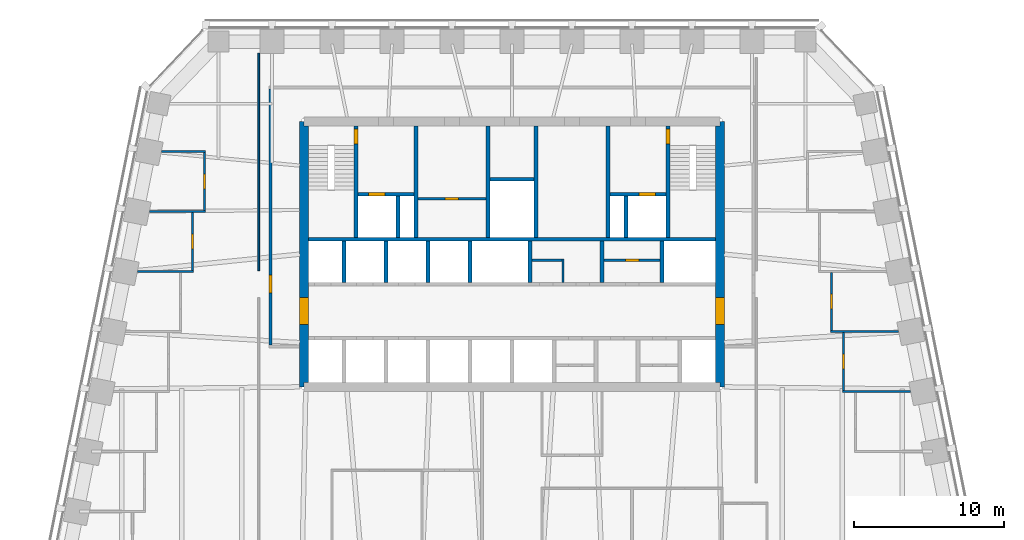
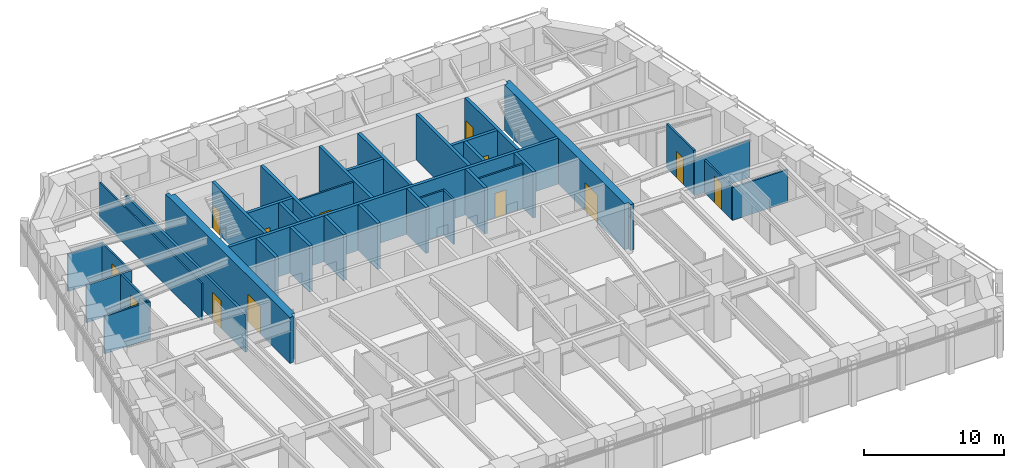
# One storey, part 7 of 10: 36 walls, 13 doors, 13 openings.
"""IFC4 building model written with IfcOpenShell, lengths in metres."""

from ifc_helpers import new_model, si_unit, direction, frame, frame_2d, origin, place, context, subcontext, project, spatial, polyline, rectangle, outline, extrude, material, layer, layer_set, type_object, element, fill, save


model = new_model("IFC4")

# Units and contexts
model_context = context("Model", 3, precision=1e-05, world=origin(), true_north=direction((0.0, 1.0)))
body_context = subcontext(model_context, "Body", "Model", "MODEL_VIEW")
ifc_project = project(units=[si_unit("LENGTHUNIT", "METRE"), si_unit("AREAUNIT", "SQUARE_METRE"), si_unit("VOLUMEUNIT", "CUBIC_METRE"), si_unit("PLANEANGLEUNIT", "RADIAN"), si_unit("MASSUNIT", "GRAM", prefix="KILO")], contexts=[model_context])

# Site, building, storey
site_placement = place(None, origin())
site = spatial("IfcSite", under=ifc_project, at=site_placement, CompositionType="ELEMENT")
building_placement = place(site_placement, origin())
building = spatial("IfcBuilding", under=site, at=building_placement, Name="Isbrekke Arena Tower", CompositionType="ELEMENT")
storey_placement = place(building_placement, frame((0.0, 0.0, 190.0)))
storey = spatial("IfcBuildingStorey", under=building, at=storey_placement, Name="L43", CompositionType="ELEMENT", Elevation=190.0)

# Wall, opening, door
ifc_material_1 = material(Name="Concrete B55 (C55/67)", Category="concrete")
ifc_layer_1 = layer(ifc_material_1, 0.60009765625)
ifc_layer_set_1 = layer_set([ifc_layer_1], Name="CW4 CORE WALL 600")
wall_type_1 = type_object("IfcWallType", Name="CW4 CORE WALL 600", PredefinedType="SHEAR", material=ifc_layer_set_1)
wall_1_placement = place(storey_placement, frame((13.85009765625, 6.14990234375, 0.0), z_axis=(0.0, 0.0, 1.0), x_axis=(0.0, 1.0, 0.0)))
wall_1 = element("IfcWall", 1, at=wall_1_placement, inside=storey, type_object=wall_type_1, Name="Core wall E L43", PredefinedType="SHEAR", context=body_context, shape_type="SweptSolid", body=[
    extrude(outline(polyline([(0.0, -0.300048828125), (17.7001953125, -0.300048828125), (17.7001953125, 0.0), (17.400146484375, 0.0), (17.400146484375, 0.300048828125), (0.300048828125, 0.300048828125), (0.300048828125, 0.0), (0.0, 0.0), (0.0, -0.300048828125)])), origin(), (0.0, 0.0, 1.0), 4.0),
])
opening_1_placement = place(wall_1_placement, frame((4.14990234375, 0.0, 0.0)))
opening_1 = element("IfcOpeningElement", 2, at=opening_1_placement, cuts=wall_1, Name="Opening D1", PredefinedType="OPENING", context=body_context, shape_type="SweptSolid", body=[
    extrude(rectangle(XDim=1.800048828125, YDim=2.39990234375, at=frame_2d((0.89990234375, 1.199951171875))), frame((0.0, 0.31494140625, 0.0), z_axis=(0.0, -1.0, 0.0), x_axis=(1.0, 0.0, 0.0)), (0.0, 0.0, 1.0), 0.6298828125),
])
ifc_material_2 = material(Name="Steel-framed glazed fire door", Category="steel")
door_type_1 = type_object("IfcDoorType", Name="D1 CORE LOBBY DOOR 1800 x 2400", OperationType="DOUBLE_DOOR_SINGLE_SWING", PredefinedType="DOOR", material=ifc_material_2)
door_1_placement = place(opening_1_placement, origin())
door_1 = element("IfcDoor", 3, at=door_1_placement, inside=storey, type_object=door_type_1, Name="D1 lift lobby door east L43", OperationType="DOUBLE_DOOR_SINGLE_SWING", OverallHeight=2.39990234375, OverallWidth=1.800048828125, PredefinedType="DOOR", context=body_context, shape_type="SweptSolid", body=[
    extrude(rectangle(XDim=1.800048828125, YDim=2.39990234375, at=frame_2d((0.89990234375, 1.199951171875))), frame((0.0, 0.2998046875, 0.0), z_axis=(0.0, -1.0, 0.0), x_axis=(1.0, 0.0, 0.0)), (0.0, 0.0, 1.0), 0.599609375),
])
fill(opening_1, door_1)

wall_2_placement = place(storey_placement, frame((-13.85009765625, 23.85009765625, 0.0), z_axis=(0.0, 0.0, 1.0), x_axis=(0.0, -1.0, 0.0)))
wall_2 = element("IfcWall", 4, at=wall_2_placement, inside=storey, type_object=wall_type_1, Name="Core wall W L43", PredefinedType="SHEAR", context=body_context, shape_type="SweptSolid", body=[
    extrude(outline(polyline([(0.0, -0.300048828125), (17.7001953125, -0.300048828125), (17.7001953125, 0.0), (17.400146484375, 0.0), (17.400146484375, 0.300048828125), (0.300048828125, 0.300048828125), (0.300048828125, 0.0), (0.0, 0.0), (0.0, -0.300048828125)])), origin(), (0.0, 0.0, 1.0), 4.0),
])
opening_2_placement = place(wall_2_placement, frame((11.75, 0.0, 0.0)))
opening_2 = element("IfcOpeningElement", 5, at=opening_2_placement, cuts=wall_2, Name="Opening D1", PredefinedType="OPENING", context=body_context, shape_type="SweptSolid", body=[
    extrude(rectangle(XDim=1.800048828125, YDim=2.39990234375, at=frame_2d((0.89990234375, 1.199951171875))), frame((0.0, 0.31494140625, 0.0), z_axis=(0.0, -1.0, 0.0), x_axis=(1.0, 0.0, 0.0)), (0.0, 0.0, 1.0), 0.6298828125),
])
door_2_placement = place(opening_2_placement, origin())
door_2 = element("IfcDoor", 6, at=door_2_placement, inside=storey, type_object=door_type_1, Name="D1 lift lobby door west L43", OperationType="DOUBLE_DOOR_SINGLE_SWING", OverallHeight=2.39990234375, OverallWidth=1.800048828125, PredefinedType="DOOR", context=body_context, shape_type="SweptSolid", body=[
    extrude(rectangle(XDim=1.800048828125, YDim=2.39990234375, at=frame_2d((0.89990234375, 1.199951171875))), frame((0.0, 0.2998046875, 0.0), z_axis=(0.0, -1.0, 0.0), x_axis=(1.0, 0.0, 0.0)), (0.0, 0.0, 1.0), 0.599609375),
])
fill(opening_2, door_2)

# Walls
ifc_material_3 = material(Name="Concrete B45 (C45/55)", Category="concrete")
ifc_layer_2 = layer(ifc_material_3, 0.25)
ifc_layer_set_2 = layer_set([ifc_layer_2], Name="CW6 SHAFT WALL 250")
wall_type_2 = type_object("IfcWallType", Name="CW6 SHAFT WALL 250", PredefinedType="SHEAR", material=ifc_layer_set_2)
wall_3_placement = place(storey_placement, frame((-13.550048828125, 16.0, 0.0), z_axis=(0.0, 0.0, 1.0), x_axis=(1.0, 0.0, 0.0)))
element("IfcWall", 7, at=wall_3_placement, inside=storey, type_object=wall_type_2, Name="Core wall NB L43", PredefinedType="SHEAR", context=body_context, shape_type="SweptSolid", body=[
    extrude(rectangle(XDim=27.10009765625, YDim=0.25, at=frame_2d((13.550048828125, 0.0))), origin(), (0.0, 0.0, 1.0), 4.0),
])
for number, where, z_axis, x_axis, name in (
    (8, (-11.199951171875, 13.125, 0.0), (0.0, 0.0, 1.0), (0.0, 1.0, 0.0), "Core wall SN01 L43"),
    (9, (-8.39990234375, 13.125, 0.0), (0.0, 0.0, 1.0), (0.0, 1.0, 0.0), "Core wall SN02 L43"),
    (10, (-5.60009765625, 13.125, 0.0), (0.0, 0.0, 1.0), (0.0, 1.0, 0.0), "Core wall SN03 L43"),
    (11, (-2.800048828125, 13.125, 0.0), (0.0, 0.0, 1.0), (0.0, 1.0, 0.0), "Core wall SN04 L43"),
    (12, (1.199951171875, 13.125, 0.0), (0.0, 0.0, 1.0), (0.0, 1.0, 0.0), "Core wall SN05 L43"),
    (13, (6.0, 13.125, 0.0), (0.0, 0.0, 1.0), (0.0, 1.0, 0.0), "Core wall SN06 L43"),
    (14, (10.0, 13.125, 0.0), (0.0, 0.0, 1.0), (0.0, 1.0, 0.0), "Core wall SN07 L43"),
):
    element("IfcWall", number, at=place(storey_placement, frame(where, z_axis=z_axis, x_axis=x_axis)), inside=storey, type_object=wall_type_2, Name=name, PredefinedType="SHEAR", context=body_context, shape_type="SweptSolid", body=[
        extrude(rectangle(XDim=2.75, YDim=0.25, at=frame_2d((1.375, 0.0))), origin(), (0.0, 0.0, 1.0), 4.0),
    ])

# Wall, opening, door
wall_4_placement = place(storey_placement, frame((-10.39990234375, 16.125, 0.0), z_axis=(0.0, 0.0, 1.0), x_axis=(0.0, 1.0, 0.0)))
wall_4 = element("IfcWall", 15, at=wall_4_placement, inside=storey, type_object=wall_type_2, Name="Core wall NV01 L43", PredefinedType="SHEAR", context=body_context, shape_type="SweptSolid", body=[
    extrude(rectangle(XDim=7.425048828125, YDim=0.25, at=frame_2d((3.71240234375, 0.0))), origin(), (0.0, 0.0, 1.0), 4.0),
])
opening_3_placement = place(wall_4_placement, frame((6.22509765625, 0.0, 0.0)))
opening_3 = element("IfcOpeningElement", 16, at=opening_3_placement, cuts=wall_4, Name="Opening D2", PredefinedType="OPENING", context=body_context, shape_type="SweptSolid", body=[
    extrude(rectangle(XDim=1.0, YDim=2.10009765625, at=frame_2d((0.5, 1.050048828125))), frame((0.0, 0.139892578125, 0.0), z_axis=(0.0, -1.0, 0.0), x_axis=(1.0, 0.0, 0.0)), (0.0, 0.0, 1.0), 0.27978515625),
])
ifc_material_4 = material(Name="Steel fire door", Category="steel")
door_type_2 = type_object("IfcDoorType", Name="D2 STAIR DOOR 1000 x 2100", OperationType="SINGLE_SWING_LEFT", PredefinedType="DOOR", material=ifc_material_4)
door_3_placement = place(opening_3_placement, origin())
door_3 = element("IfcDoor", 17, at=door_3_placement, inside=storey, type_object=door_type_2, Name="D2 stair door ST1 L43", OperationType="SINGLE_SWING_LEFT", OverallHeight=2.10009765625, OverallWidth=1.0, PredefinedType="DOOR", context=body_context, shape_type="SweptSolid", body=[
    extrude(rectangle(XDim=1.0, YDim=2.10009765625, at=frame_2d((0.5, 1.050048828125))), frame((0.0, 0.124755859375, 0.0), z_axis=(0.0, -1.0, 0.0), x_axis=(1.0, 0.0, 0.0)), (0.0, 0.0, 1.0), 0.24951171875),
])
fill(opening_3, door_3)

# Walls
for number, where, z_axis, x_axis, name in (
    (18, (-6.39990234375, 16.125, 0.0), (0.0, 0.0, 1.0), (0.0, 1.0, 0.0), "Core wall NV02 L43"),
    (19, (-1.60009765625, 16.125, 0.0), (0.0, 0.0, 1.0), (0.0, 1.0, 0.0), "Core wall NV03 L43"),
    (20, (1.60009765625, 16.125, 0.0), (0.0, 0.0, 1.0), (0.0, 1.0, 0.0), "Core wall NV04 L43"),
    (21, (6.39990234375, 16.125, 0.0), (0.0, 0.0, 1.0), (0.0, 1.0, 0.0), "Core wall NV05 L43"),
):
    element("IfcWall", number, at=place(storey_placement, frame(where, z_axis=z_axis, x_axis=x_axis)), inside=storey, type_object=wall_type_2, Name=name, PredefinedType="SHEAR", context=body_context, shape_type="SweptSolid", body=[
        extrude(rectangle(XDim=7.425048828125, YDim=0.25, at=frame_2d((3.71240234375, 0.0))), origin(), (0.0, 0.0, 1.0), 4.0),
    ])

# Wall, opening, door
wall_5_placement = place(storey_placement, frame((10.39990234375, 16.125, 0.0), z_axis=(0.0, 0.0, 1.0), x_axis=(0.0, 1.0, 0.0)))
wall_5 = element("IfcWall", 22, at=wall_5_placement, inside=storey, type_object=wall_type_2, Name="Core wall NV06 L43", PredefinedType="SHEAR", context=body_context, shape_type="SweptSolid", body=[
    extrude(rectangle(XDim=7.425048828125, YDim=0.25, at=frame_2d((3.71240234375, 0.0))), origin(), (0.0, 0.0, 1.0), 4.0),
])
opening_4_placement = place(wall_5_placement, frame((6.22509765625, 0.0, 0.0)))
opening_4 = element("IfcOpeningElement", 23, at=opening_4_placement, cuts=wall_5, Name="Opening D2", PredefinedType="OPENING", context=body_context, shape_type="SweptSolid", body=[
    extrude(rectangle(XDim=1.0, YDim=2.10009765625, at=frame_2d((0.5, 1.050048828125))), frame((0.0, 0.139892578125, 0.0), z_axis=(0.0, -1.0, 0.0), x_axis=(1.0, 0.0, 0.0)), (0.0, 0.0, 1.0), 0.27978515625),
])
door_4_placement = place(opening_4_placement, origin())
door_4 = element("IfcDoor", 24, at=door_4_placement, inside=storey, type_object=door_type_2, Name="D2 stair door ST2 L43", OperationType="SINGLE_SWING_LEFT", OverallHeight=2.10009765625, OverallWidth=1.0, PredefinedType="DOOR", context=body_context, shape_type="SweptSolid", body=[
    extrude(rectangle(XDim=1.0, YDim=2.10009765625, at=frame_2d((0.5, 1.050048828125))), frame((0.0, 0.124755859375, 0.0), z_axis=(0.0, -1.0, 0.0), x_axis=(1.0, 0.0, 0.0)), (0.0, 0.0, 1.0), 0.24951171875),
])
fill(opening_4, door_4)

wall_6_placement = place(storey_placement, frame((-10.27490234375, 19.0, 0.0), z_axis=(0.0, 0.0, 1.0), x_axis=(1.0, 0.0, 0.0)))
wall_6 = element("IfcWall", 25, at=wall_6_placement, inside=storey, type_object=wall_type_2, Name="Core wall NFW L43", PredefinedType="SHEAR", context=body_context, shape_type="SweptSolid", body=[
    extrude(rectangle(XDim=3.75, YDim=0.25, at=frame_2d((1.875, 0.0))), origin(), (0.0, 0.0, 1.0), 4.0),
])
opening_5_placement = place(wall_6_placement, frame((0.72509765625, 0.0, 0.0)))
opening_5 = element("IfcOpeningElement", 26, at=opening_5_placement, cuts=wall_6, Name="Opening LD2", PredefinedType="OPENING", context=body_context, shape_type="SweptSolid", body=[
    extrude(rectangle(XDim=1.10009765625, YDim=2.10009765625, at=frame_2d((0.550048828125, 1.050048828125))), frame((0.0, 0.139892578125, 0.0), z_axis=(0.0, -1.0, 0.0), x_axis=(1.0, 0.0, 0.0)), (0.0, 0.0, 1.0), 0.27978515625),
])
ifc_material_5 = material(Name="Stainless steel lift landing door", Category="steel")
door_type_3 = type_object("IfcDoorType", Name="LD2 FIRE-FIGHTING LIFT LANDING DOOR 1100 x 2100", OperationType="SLIDING_TO_RIGHT", PredefinedType="DOOR", material=ifc_material_5)
door_5_placement = place(opening_5_placement, origin())
door_5 = element("IfcDoor", 27, at=door_5_placement, inside=storey, type_object=door_type_3, Name="LD2 lift landing door LF L43", OperationType="SLIDING_TO_RIGHT", OverallHeight=2.10009765625, OverallWidth=1.10009765625, PredefinedType="DOOR", context=body_context, shape_type="SweptSolid", body=[
    extrude(rectangle(XDim=1.10009765625, YDim=2.10009765625, at=frame_2d((0.550048828125, 1.050048828125))), frame((0.0, 0.124755859375, 0.0), z_axis=(0.0, -1.0, 0.0), x_axis=(1.0, 0.0, 0.0)), (0.0, 0.0, 1.0), 0.24951171875),
])
fill(opening_5, door_5)

wall_7_placement = place(storey_placement, frame((6.52490234375, 19.0, 0.0), z_axis=(0.0, 0.0, 1.0), x_axis=(1.0, 0.0, 0.0)))
wall_7 = element("IfcWall", 28, at=wall_7_placement, inside=storey, type_object=wall_type_2, Name="Core wall NFE L43", PredefinedType="SHEAR", context=body_context, shape_type="SweptSolid", body=[
    extrude(rectangle(XDim=3.75, YDim=0.25, at=frame_2d((1.875, 0.0))), origin(), (0.0, 0.0, 1.0), 4.0),
])
opening_6_placement = place(wall_7_placement, frame((1.925048828125, 0.0, 0.0)))
opening_6 = element("IfcOpeningElement", 29, at=opening_6_placement, cuts=wall_7, Name="Opening LD2", PredefinedType="OPENING", context=body_context, shape_type="SweptSolid", body=[
    extrude(rectangle(XDim=1.10009765625, YDim=2.10009765625, at=frame_2d((0.550048828125, 1.050048828125))), frame((0.0, 0.139892578125, 0.0), z_axis=(0.0, -1.0, 0.0), x_axis=(1.0, 0.0, 0.0)), (0.0, 0.0, 1.0), 0.27978515625),
])
door_6_placement = place(opening_6_placement, origin())
door_6 = element("IfcDoor", 30, at=door_6_placement, inside=storey, type_object=door_type_3, Name="LD2 lift landing door LF L43", OperationType="SLIDING_TO_RIGHT", OverallHeight=2.10009765625, OverallWidth=1.10009765625, PredefinedType="DOOR", context=body_context, shape_type="SweptSolid", body=[
    extrude(rectangle(XDim=1.10009765625, YDim=2.10009765625, at=frame_2d((0.550048828125, 1.050048828125))), frame((0.0, 0.124755859375, 0.0), z_axis=(0.0, -1.0, 0.0), x_axis=(1.0, 0.0, 0.0)), (0.0, 0.0, 1.0), 0.24951171875),
])
fill(opening_6, door_6)

# Walls
for number, where, z_axis, x_axis, name in (
    (31, (-7.60009765625, 16.125, 0.0), (0.0, 0.0, 1.0), (0.0, 1.0, 0.0), "Core wall NFS1 L43"),
    (32, (7.60009765625, 16.125, 0.0), (0.0, 0.0, 1.0), (0.0, 1.0, 0.0), "Core wall NFS2 L43"),
):
    element("IfcWall", number, at=place(storey_placement, frame(where, z_axis=z_axis, x_axis=x_axis)), inside=storey, type_object=wall_type_2, Name=name, PredefinedType="SHEAR", context=body_context, shape_type="SweptSolid", body=[
        extrude(rectangle(XDim=2.75, YDim=0.25, at=frame_2d((1.375, 0.0))), origin(), (0.0, 0.0, 1.0), 4.0),
    ])
wall_8_placement = place(storey_placement, frame((-1.47509765625, 20.0, 0.0), z_axis=(0.0, 0.0, 1.0), x_axis=(1.0, 0.0, 0.0)))
element("IfcWall", 33, at=wall_8_placement, inside=storey, type_object=wall_type_2, Name="Core wall NWC L43", PredefinedType="SHEAR", context=body_context, shape_type="SweptSolid", body=[
    extrude(rectangle(XDim=2.9501953125, YDim=0.25, at=frame_2d((1.47509765625, 0.0))), origin(), (0.0, 0.0, 1.0), 4.0),
])
ifc_material_6 = material(Name="Gypsum board partition on steel studs", Category="steel")
ifc_layer_3 = layer(ifc_material_6, 0.14990234375)
ifc_layer_set_3 = layer_set([ifc_layer_3], Name="IW1 PARTITION 150")
wall_type_3 = type_object("IfcWallType", Name="IW1 PARTITION 150", PredefinedType="PARTITIONING", material=ifc_layer_set_3)
wall_9_placement = place(storey_placement, frame((22.02490234375, 5.840087890625, 0.0), z_axis=(0.0, 0.0, 1.0), x_axis=(1.0, 0.0, 0.0)))
element("IfcWall", 34, at=wall_9_placement, inside=storey, type_object=wall_type_3, Name="IW1 partition 150 L43", PredefinedType="PARTITIONING", context=body_context, shape_type="SweptSolid", body=[
    extrude(rectangle(XDim=4.5498046875, YDim=0.14990234375, at=frame_2d((2.27490234375, 0.0))), origin(), (0.0, 0.0, 1.0), 2.842041015625),
])
wall_10_placement = place(storey_placement, frame((21.22509765625, 9.840087890625, 0.0), z_axis=(0.0, 0.0, 1.0), x_axis=(1.0, 0.0, 0.0)))
element("IfcWall", 35, at=wall_10_placement, inside=storey, type_object=wall_type_3, Name="IW1 partition 150 L43", PredefinedType="PARTITIONING", context=body_context, shape_type="SweptSolid", body=[
    extrude(rectangle(XDim=4.5498046875, YDim=0.14990234375, at=frame_2d((2.27490234375, 0.0))), origin(), (0.0, 0.0, 1.0), 3.25),
])
for number, where, z_axis, x_axis, name in (
    (36, (-24.974853515625, 13.840087890625, 0.0), (0.0, 0.0, 1.0), (1.0, 0.0, 0.0), "IW1 partition 150 L43"),
    (37, (-24.1748046875, 17.840087890625, 0.0), (0.0, 0.0, 1.0), (1.0, 0.0, 0.0), "IW1 partition 150 L43"),
):
    element("IfcWall", number, at=place(storey_placement, frame(where, z_axis=z_axis, x_axis=x_axis)), inside=storey, type_object=wall_type_3, Name=name, PredefinedType="PARTITIONING", context=body_context, shape_type="SweptSolid", body=[
        extrude(rectangle(XDim=3.749755859375, YDim=0.14990234375, at=frame_2d((1.875, 0.0))), origin(), (0.0, 0.0, 1.0), 3.25),
    ])
wall_11_placement = place(storey_placement, frame((-23.374755859375, 21.840087890625, 0.0), z_axis=(0.0, 0.0, 1.0), x_axis=(1.0, 0.0, 0.0)))
element("IfcWall", 38, at=wall_11_placement, inside=storey, type_object=wall_type_3, Name="IW1 partition 150 L43", PredefinedType="PARTITIONING", context=body_context, shape_type="SweptSolid", body=[
    extrude(rectangle(XDim=2.94970703125, YDim=0.14990234375, at=frame_2d((1.474853515625, 0.0))), origin(), (0.0, 0.0, 1.0), 3.25),
])

# Wall, opening, door
wall_12_placement = place(storey_placement, frame((-21.300048828125, 13.9150390625, 0.0), z_axis=(0.0, 0.0, 1.0), x_axis=(0.0, 1.0, 0.0)))
wall_12 = element("IfcWall", 39, at=wall_12_placement, inside=storey, type_object=wall_type_3, Name="IW1 partition 150 L43", PredefinedType="PARTITIONING", context=body_context, shape_type="SweptSolid", body=[
    extrude(rectangle(XDim=3.849853515625, YDim=0.14990234375, at=frame_2d((1.9248046875, 0.0))), origin(), (0.0, 0.0, 1.0), 3.25),
])
opening_7_placement = place(wall_12_placement, frame((1.425048828125, 0.0, 0.0)))
opening_7 = element("IfcOpeningElement", 40, at=opening_7_placement, cuts=wall_12, Name="Opening D10", PredefinedType="OPENING", context=body_context, shape_type="SweptSolid", body=[
    extrude(rectangle(XDim=1.0, YDim=2.300048828125, at=frame_2d((0.5, 1.14990234375))), frame((0.0, 0.08984375, 0.0), z_axis=(0.0, -1.0, 0.0), x_axis=(1.0, 0.0, 0.0)), (0.0, 0.0, 1.0), 0.1796875),
])
ifc_material_7 = material(Name="Timber door", Category="wood")
door_type_4 = type_object("IfcDoorType", Name="D10 OFFICE DOOR 1000 x 2300", OperationType="SINGLE_SWING_LEFT", PredefinedType="DOOR", material=ifc_material_7)
door_7_placement = place(opening_7_placement, origin())
door_7 = element("IfcDoor", 41, at=door_7_placement, inside=storey, type_object=door_type_4, Name="D10 office door L43", OperationType="SINGLE_SWING_LEFT", OverallHeight=2.300048828125, OverallWidth=1.0, PredefinedType="DOOR", context=body_context, shape_type="SweptSolid", body=[
    extrude(rectangle(XDim=1.0, YDim=2.300048828125, at=frame_2d((0.5, 1.14990234375))), frame((0.0, 0.07470703125, 0.0), z_axis=(0.0, -1.0, 0.0), x_axis=(1.0, 0.0, 0.0)), (0.0, 0.0, 1.0), 0.1494140625),
])
fill(opening_7, door_7)

wall_13_placement = place(storey_placement, frame((-20.5, 17.9150390625, 0.0), z_axis=(0.0, 0.0, 1.0), x_axis=(0.0, 1.0, 0.0)))
wall_13 = element("IfcWall", 42, at=wall_13_placement, inside=storey, type_object=wall_type_3, Name="IW1 partition 150 L43", PredefinedType="PARTITIONING", context=body_context, shape_type="SweptSolid", body=[
    extrude(rectangle(XDim=3.849853515625, YDim=0.14990234375, at=frame_2d((1.9248046875, 0.0))), origin(), (0.0, 0.0, 1.0), 3.25),
])
opening_8_placement = place(wall_13_placement, frame((1.425048828125, 0.0, 0.0)))
opening_8 = element("IfcOpeningElement", 43, at=opening_8_placement, cuts=wall_13, Name="Opening D10", PredefinedType="OPENING", context=body_context, shape_type="SweptSolid", body=[
    extrude(rectangle(XDim=1.0, YDim=2.300048828125, at=frame_2d((0.5, 1.14990234375))), frame((0.0, 0.08984375, 0.0), z_axis=(0.0, -1.0, 0.0), x_axis=(1.0, 0.0, 0.0)), (0.0, 0.0, 1.0), 0.1796875),
])
door_8_placement = place(opening_8_placement, origin())
door_8 = element("IfcDoor", 44, at=door_8_placement, inside=storey, type_object=door_type_4, Name="D10 office door L43", OperationType="SINGLE_SWING_LEFT", OverallHeight=2.300048828125, OverallWidth=1.0, PredefinedType="DOOR", context=body_context, shape_type="SweptSolid", body=[
    extrude(rectangle(XDim=1.0, YDim=2.300048828125, at=frame_2d((0.5, 1.14990234375))), frame((0.0, 0.07470703125, 0.0), z_axis=(0.0, -1.0, 0.0), x_axis=(1.0, 0.0, 0.0)), (0.0, 0.0, 1.0), 0.1494140625),
])
fill(opening_8, door_8)

wall_14_placement = place(storey_placement, frame((21.300048828125, 9.9150390625, 0.0), z_axis=(0.0, 0.0, 1.0), x_axis=(0.0, 1.0, 0.0)))
wall_14 = element("IfcWall", 45, at=wall_14_placement, inside=storey, type_object=wall_type_3, Name="IW1 partition 150 L43", PredefinedType="PARTITIONING", context=body_context, shape_type="SweptSolid", body=[
    extrude(rectangle(XDim=3.849853515625, YDim=0.14990234375, at=frame_2d((1.9248046875, 0.0))), origin(), (0.0, 0.0, 1.0), 3.85009765625),
])
opening_9_placement = place(wall_14_placement, frame((1.425048828125, 0.0, 0.0)))
opening_9 = element("IfcOpeningElement", 46, at=opening_9_placement, cuts=wall_14, Name="Opening D10", PredefinedType="OPENING", context=body_context, shape_type="SweptSolid", body=[
    extrude(rectangle(XDim=1.0, YDim=2.300048828125, at=frame_2d((0.5, 1.14990234375))), frame((0.0, 0.08984375, 0.0), z_axis=(0.0, -1.0, 0.0), x_axis=(1.0, 0.0, 0.0)), (0.0, 0.0, 1.0), 0.1796875),
])
door_9_placement = place(opening_9_placement, origin())
door_9 = element("IfcDoor", 47, at=door_9_placement, inside=storey, type_object=door_type_4, Name="D10 office door L43", OperationType="SINGLE_SWING_LEFT", OverallHeight=2.300048828125, OverallWidth=1.0, PredefinedType="DOOR", context=body_context, shape_type="SweptSolid", body=[
    extrude(rectangle(XDim=1.0, YDim=2.300048828125, at=frame_2d((0.5, 1.14990234375))), frame((0.0, 0.07470703125, 0.0), z_axis=(0.0, -1.0, 0.0), x_axis=(1.0, 0.0, 0.0)), (0.0, 0.0, 1.0), 0.1494140625),
])
fill(opening_9, door_9)

wall_15_placement = place(storey_placement, frame((22.10009765625, 5.9150390625, 0.0), z_axis=(0.0, 0.0, 1.0), x_axis=(0.0, 1.0, 0.0)))
wall_15 = element("IfcWall", 48, at=wall_15_placement, inside=storey, type_object=wall_type_3, Name="IW1 partition 150 L43", PredefinedType="PARTITIONING", context=body_context, shape_type="SweptSolid", body=[
    extrude(rectangle(XDim=3.849853515625, YDim=0.14990234375, at=frame_2d((1.9248046875, 0.0))), origin(), (0.0, 0.0, 1.0), 2.842041015625),
])
opening_10_placement = place(wall_15_placement, frame((1.425048828125, 0.0, 0.0)))
opening_10 = element("IfcOpeningElement", 49, at=opening_10_placement, cuts=wall_15, Name="Opening D10", PredefinedType="OPENING", context=body_context, shape_type="SweptSolid", body=[
    extrude(rectangle(XDim=1.0, YDim=2.300048828125, at=frame_2d((0.5, 1.14990234375))), frame((0.0, 0.08984375, 0.0), z_axis=(0.0, -1.0, 0.0), x_axis=(1.0, 0.0, 0.0)), (0.0, 0.0, 1.0), 0.1796875),
])
door_10_placement = place(opening_10_placement, origin())
door_10 = element("IfcDoor", 50, at=door_10_placement, inside=storey, type_object=door_type_4, Name="D10 office door L43", OperationType="SINGLE_SWING_LEFT", OverallHeight=2.300048828125, OverallWidth=1.0, PredefinedType="DOOR", context=body_context, shape_type="SweptSolid", body=[
    extrude(rectangle(XDim=1.0, YDim=2.300048828125, at=frame_2d((0.5, 1.14990234375))), frame((0.0, 0.07470703125, 0.0), z_axis=(0.0, -1.0, 0.0), x_axis=(1.0, 0.0, 0.0)), (0.0, 0.0, 1.0), 0.1494140625),
])
fill(opening_10, door_10)

# Wall
ifc_material_8 = material(Name="Frameless glazed partition, laminated acoustic glass", Category="glass")
ifc_layer_4 = layer(ifc_material_8, 0.1201171875)
ifc_layer_set_4 = layer_set([ifc_layer_4], Name="IW2 GLAZED PARTITION 120")
wall_type_4 = type_object("IfcWallType", Name="IW2 GLAZED PARTITION 120", PredefinedType="PARTITIONING", material=ifc_layer_set_4)
wall_16_placement = place(storey_placement, frame((-16.888916015625, 13.89990234375, 0.0), z_axis=(0.0, 0.0, 1.0), x_axis=(0.0, 1.0, 0.0)))
element("IfcWall", 51, at=wall_16_placement, inside=storey, type_object=wall_type_4, Name="IW2 glazed partition 120 L43", PredefinedType="PARTITIONING", context=body_context, shape_type="SweptSolid", body=[
    extrude(rectangle(XDim=14.5, YDim=0.1201171875, at=frame_2d((7.25, 0.0))), origin(), (0.0, 0.0, 1.0), 3.25),
])

# Wall, opening, door
ifc_material_9 = material(Name="Gypsum board fire-cell wall on steel studs, two layers each side", Category="steel")
ifc_layer_5 = layer(ifc_material_9, 0.199951171875)
ifc_layer_set_5 = layer_set([ifc_layer_5], Name="IW3 FIRE-CELL WALL 200")
wall_type_5 = type_object("IfcWallType", Name="IW3 FIRE-CELL WALL 200", PredefinedType="PARTITIONING", material=ifc_layer_set_5)
wall_17_placement = place(storey_placement, frame((-16.10009765625, 8.949951171875, 0.0), z_axis=(0.0, 0.0, 1.0), x_axis=(0.0, 1.0, 0.0)))
wall_17 = element("IfcWall", 52, at=wall_17_placement, inside=storey, type_object=wall_type_5, Name="IW3 fire-cell wall 200 L43", PredefinedType="PARTITIONING", context=body_context, shape_type="SweptSolid", body=[
    extrude(rectangle(XDim=17.050048828125, YDim=0.199951171875, at=frame_2d((8.52490234375, 0.0))), origin(), (0.0, 0.0, 1.0), 3.25),
])
opening_11_placement = place(wall_17_placement, frame((3.449951171875, 0.0, 0.0)))
opening_11 = element("IfcOpeningElement", 53, at=opening_11_placement, cuts=wall_17, Name="Opening D12", PredefinedType="OPENING", context=body_context, shape_type="SweptSolid", body=[
    extrude(rectangle(XDim=1.199951171875, YDim=2.39990234375, at=frame_2d((0.60009765625, 1.199951171875))), frame((0.0, 0.11474609375, 0.0), z_axis=(0.0, -1.0, 0.0), x_axis=(1.0, 0.0, 0.0)), (0.0, 0.0, 1.0), 0.229736328125),
])
ifc_material_10 = material(Name="Timber fire door with vision panel", Category="wood")
door_type_5 = type_object("IfcDoorType", Name="D12 SUITE ENTRANCE DOOR 1200 x 2400", OperationType="SINGLE_SWING_LEFT", PredefinedType="DOOR", material=ifc_material_10)
door_11_placement = place(opening_11_placement, origin())
door_11 = element("IfcDoor", 54, at=door_11_placement, inside=storey, type_object=door_type_5, Name="D12 suite entrance W door L43", OperationType="SINGLE_SWING_LEFT", OverallHeight=2.39990234375, OverallWidth=1.199951171875, PredefinedType="DOOR", context=body_context, shape_type="SweptSolid", body=[
    extrude(rectangle(XDim=1.199951171875, YDim=2.39990234375, at=frame_2d((0.60009765625, 1.199951171875))), frame((0.0, 0.099609375, 0.0), z_axis=(0.0, -1.0, 0.0), x_axis=(1.0, 0.0, 0.0)), (0.0, 0.0, 1.0), 0.199462890625),
])
fill(opening_11, door_11)

ifc_material_11 = material(Name="Gypsum board fire-rated partition on steel studs, two layers each side", Category="steel")
ifc_layer_6 = layer(ifc_material_11, 0.14990234375)
ifc_layer_set_6 = layer_set([ifc_layer_6], Name="IW5 FIRE-RATED PARTITION 150")
wall_type_6 = type_object("IfcWallType", Name="IW5 FIRE-RATED PARTITION 150", PredefinedType="PARTITIONING", material=ifc_layer_set_6)
wall_18_placement = place(storey_placement, frame((-6.27490234375, 18.699951171875, 0.0), z_axis=(0.0, 0.0, 1.0), x_axis=(1.0, 0.0, 0.0)))
wall_18 = element("IfcWall", 55, at=wall_18_placement, inside=storey, type_object=wall_type_6, Name="IW5 fire-rated partition L43 cleaner's store F", PredefinedType="PARTITIONING", context=body_context, shape_type="SweptSolid", body=[
    extrude(rectangle(XDim=4.5498046875, YDim=0.14990234375, at=frame_2d((2.27490234375, 0.0))), origin(), (0.0, 0.0, 1.0), 3.85009765625),
])
opening_12_placement = place(wall_18_placement, frame((1.824951171875, 0.0, 0.0)))
opening_12 = element("IfcOpeningElement", 56, at=opening_12_placement, cuts=wall_18, Name="Opening D5", PredefinedType="OPENING", context=body_context, shape_type="SweptSolid", body=[
    extrude(rectangle(XDim=0.89990234375, YDim=2.10009765625, at=frame_2d((0.449951171875, 1.050048828125))), frame((0.0, 0.08984375, 0.0), z_axis=(0.0, -1.0, 0.0), x_axis=(1.0, 0.0, 0.0)), (0.0, 0.0, 1.0), 0.1796875),
])
ifc_material_12 = material(Name="Steel fire door", Category="steel")
door_type_6 = type_object("IfcDoorType", Name="D5 SERVICE DOOR 900 x 2100", OperationType="SINGLE_SWING_LEFT", PredefinedType="DOOR", material=ifc_material_12)
door_12_placement = place(opening_12_placement, origin())
door_12 = element("IfcDoor", 57, at=door_12_placement, inside=storey, type_object=door_type_6, Name="D5 cleaner's store door L43", OperationType="SINGLE_SWING_LEFT", OverallHeight=2.10009765625, OverallWidth=0.89990234375, PredefinedType="DOOR", context=body_context, shape_type="SweptSolid", body=[
    extrude(rectangle(XDim=0.89990234375, YDim=2.10009765625, at=frame_2d((0.449951171875, 1.050048828125))), frame((0.0, 0.07470703125, 0.0), z_axis=(0.0, -1.0, 0.0), x_axis=(1.0, 0.0, 0.0)), (0.0, 0.0, 1.0), 0.1494140625),
])
fill(opening_12, door_12)

# Walls
wall_19_placement = place(storey_placement, frame((3.39990234375, 13.125, 0.0), z_axis=(0.0, 0.0, 1.0), x_axis=(0.0, 1.0, 0.0)))
element("IfcWall", 58, at=wall_19_placement, inside=storey, type_object=wall_type_6, Name="IW5 fire-rated partition L43 core service rooms 1", PredefinedType="PARTITIONING", context=body_context, shape_type="SweptSolid", body=[
    extrude(rectangle(XDim=1.550048828125, YDim=0.14990234375, at=frame_2d((0.77490234375, 0.0))), origin(), (0.0, 0.0, 1.0), 3.85009765625),
])
wall_20_placement = place(storey_placement, frame((1.324951171875, 14.60009765625, 0.0), z_axis=(0.0, 0.0, 1.0), x_axis=(1.0, 0.0, 0.0)))
element("IfcWall", 59, at=wall_20_placement, inside=storey, type_object=wall_type_6, Name="IW5 fire-rated partition L43 core service rooms 2", PredefinedType="PARTITIONING", context=body_context, shape_type="SweptSolid", body=[
    extrude(rectangle(XDim=2.0, YDim=0.14990234375, at=frame_2d((1.0, 0.0))), origin(), (0.0, 0.0, 1.0), 3.85009765625),
])

# Wall, opening, door
wall_21_placement = place(storey_placement, frame((6.125, 14.60009765625, 0.0), z_axis=(0.0, 0.0, 1.0), x_axis=(1.0, 0.0, 0.0)))
wall_21 = element("IfcWall", 60, at=wall_21_placement, inside=storey, type_object=wall_type_6, Name="IW5 fire-rated partition L43 core service rooms 3", PredefinedType="PARTITIONING", context=body_context, shape_type="SweptSolid", body=[
    extrude(rectangle(XDim=3.75, YDim=0.14990234375, at=frame_2d((1.875, 0.0))), origin(), (0.0, 0.0, 1.0), 3.85009765625),
])
opening_13_placement = place(wall_21_placement, frame((1.425048828125, 0.0, 0.0)))
opening_13 = element("IfcOpeningElement", 61, at=opening_13_placement, cuts=wall_21, Name="Opening D5", PredefinedType="OPENING", context=body_context, shape_type="SweptSolid", body=[
    extrude(rectangle(XDim=0.89990234375, YDim=2.10009765625, at=frame_2d((0.449951171875, 1.050048828125))), frame((0.0, 0.08984375, 0.0), z_axis=(0.0, -1.0, 0.0), x_axis=(1.0, 0.0, 0.0)), (0.0, 0.0, 1.0), 0.1796875),
])
door_13_placement = place(opening_13_placement, origin())
door_13 = element("IfcDoor", 62, at=door_13_placement, inside=storey, type_object=door_type_6, Name="D5 archive door L43", OperationType="SINGLE_SWING_LEFT", OverallHeight=2.10009765625, OverallWidth=0.89990234375, PredefinedType="DOOR", context=body_context, shape_type="SweptSolid", body=[
    extrude(rectangle(XDim=0.89990234375, YDim=2.10009765625, at=frame_2d((0.449951171875, 1.050048828125))), frame((0.0, 0.07470703125, 0.0), z_axis=(0.0, -1.0, 0.0), x_axis=(1.0, 0.0, 0.0)), (0.0, 0.0, 1.0), 0.1494140625),
])
fill(opening_13, door_13)

save(model, "model.ifc")
